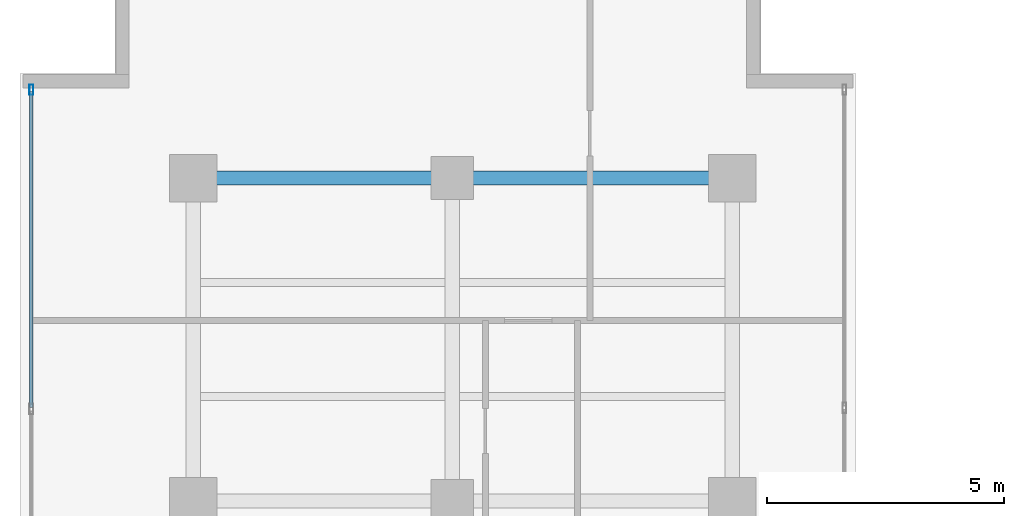
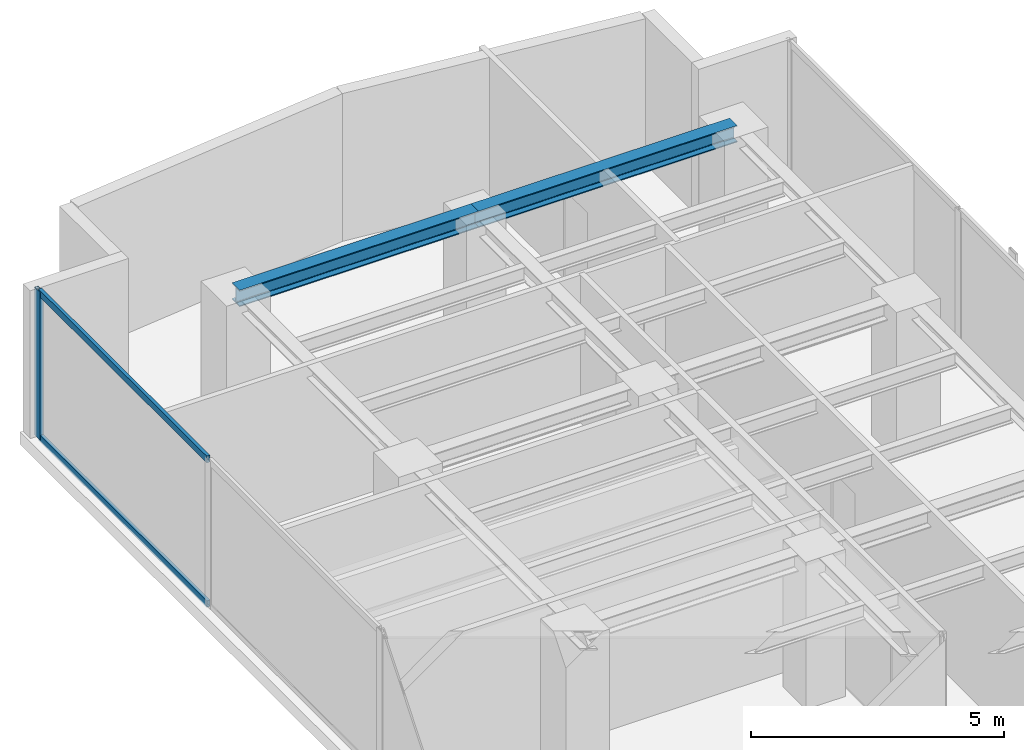
# One storey, part 14 of 25: 3 members, 2 beams, 1 element without a shape of its own.
"""IFC4 building model written with IfcOpenShell, lengths in metres."""

import ifcopenshell
import ifcopenshell.guid

model = None  # the IFC model being written
_history = None  # IfcOwnerHistory: only IFC2X3 demands one
_inside = {}  # id of a spatial element -> (the spatial element, [elements in it])
_under = {}  # id of a project, library or spatial element -> (it, [spatial elements below it])
_declared = {}  # id of a project -> (the project, [libraries it declares])
_typed = {}  # id of a type object -> (the type object, [elements of that type])
_made_of = {}  # id of a material, layer set ... -> (it, [elements and type objects made of it])


def new_model(schema):
    """Start an empty IFC model of exactly this schema.

    Asked for "IFC4X3", IfcOpenShell would pick the latest addendum, in which some entities
    have other attributes; the version numbers below select the first issue.
    IFC2X3 requires an IfcOwnerHistory on every rooted entity: one is made here for all.
    """
    global model, _history
    if schema == "IFC4X3":
        model = ifcopenshell.file(schema_version=(4, 3, 0, 0))
    else:
        model = ifcopenshell.file(schema=schema)
    _inside.clear()
    _under.clear()
    _declared.clear()
    _typed.clear()
    _made_of.clear()
    _history = None
    if model.schema == "IFC2X3":
        org = make("IfcOrganization", Name="unknown")
        user = make(
            "IfcPersonAndOrganization",
            ThePerson=make("IfcPerson", FamilyName="unknown"),
            TheOrganization=org,
        )
        app = make(
            "IfcApplication",
            ApplicationDeveloper=org,
            Version="unknown",
            ApplicationFullName="unknown",
            ApplicationIdentifier="unknown",
        )
        _history = make(
            "IfcOwnerHistory",
            OwningUser=user,
            OwningApplication=app,
            ChangeAction="ADDED",
            CreationDate=0,
        )
    return model


def make(cls, **values):
    """One entity of the class cls with the attributes given. An attribute that is None is left unset."""
    return model.create_entity(
        cls, **{name: value for name, value in values.items() if value is not None}
    )


def rooted(cls, **values):
    """An entity with a GlobalId (a new one), such as an element, a storey or a relation."""
    return make(cls, GlobalId=ifcopenshell.guid.new(), OwnerHistory=_history, **values)


def si_unit(unit_type, name, prefix=None):
    """IfcSIUnit, for example si_unit("LENGTHUNIT", "METRE", prefix="MILLI")."""
    return make("IfcSIUnit", UnitType=unit_type, Prefix=prefix, Name=name)


def assignment(units):
    """IfcUnitAssignment: the units of a project."""
    return None if units is None else make("IfcUnitAssignment", Units=units)


def point(xyz):
    """IfcCartesianPoint."""
    return None if xyz is None else make("IfcCartesianPoint", Coordinates=xyz)


def direction(xyz):
    """IfcDirection."""
    return None if xyz is None else make("IfcDirection", DirectionRatios=xyz)


def frame(location, z_axis=None, x_axis=None):
    """IfcAxis2Placement3D, a coordinate frame: its origin and axes. An axis left out is left unset."""
    return make(
        "IfcAxis2Placement3D",
        Location=point(location),
        Axis=direction(z_axis),
        RefDirection=direction(x_axis),
    )


def frame_2d(location, x_axis=None):
    """IfcAxis2Placement2D, a coordinate frame in the plane: its origin and x axis."""
    return make(
        "IfcAxis2Placement2D", Location=point(location), RefDirection=direction(x_axis)
    )


def origin():
    """The frame at (0, 0, 0) with its axes left unset."""
    return frame((0.0, 0.0, 0.0))


def origin_with_axes():
    """The frame at (0, 0, 0) with the z axis (0, 0, 1) and the x axis (1, 0, 0) written out."""
    return frame((0.0, 0.0, 0.0), z_axis=(0.0, 0.0, 1.0), x_axis=(1.0, 0.0, 0.0))


def origin_2d():
    """The frame at (0, 0) in the plane with its x axis left unset."""
    return frame_2d((0.0, 0.0))


def place(relative_to, where):
    """IfcLocalPlacement: puts the frame where relative to a parent placement (None: the world)."""
    return make(
        "IfcLocalPlacement", PlacementRelTo=relative_to, RelativePlacement=where
    )


def context(
    kind, dimensions, precision=None, world=None, true_north=None, identifier=None
):
    """IfcGeometricRepresentationContext, for example the 3D "Model" context."""
    return make(
        "IfcGeometricRepresentationContext",
        ContextIdentifier=identifier,
        ContextType=kind,
        CoordinateSpaceDimension=dimensions,
        Precision=precision,
        WorldCoordinateSystem=world,
        TrueNorth=true_north,
    )


def subcontext(parent, identifier, kind, view, scale=None):
    """IfcGeometricRepresentationSubContext, for example "Body" below "Model"."""
    return make(
        "IfcGeometricRepresentationSubContext",
        ContextIdentifier=identifier,
        ContextType=kind,
        ParentContext=parent,
        TargetScale=scale,
        TargetView=view,
    )


def project(units=None, contexts=None):
    """IfcProject with its units and contexts."""
    return rooted(
        "IfcProject",
        Name="project",
        RepresentationContexts=contexts,
        UnitsInContext=assignment(units),
    )


def spatial(cls, under=None, at=None, **own):
    """A site, building, storey or space (cls), placed at a placement, below another one or the project."""
    s = rooted(cls, ObjectPlacement=at, **own)
    if under is not None:
        _under.setdefault(under.id(), (under, []))[1].append(s)
    return s


def profile(cls, at=None, kind="AREA", **sizes):
    """A parametric profile (cls). Its sizes go by their IFC names, for example OverallWidth=200.0."""
    return make(cls, ProfileType=kind, Position=at, **sizes)


def hollow_rectangle(**sizes):
    """IfcRectangleHollowProfileDef."""
    return profile("IfcRectangleHollowProfileDef", **sizes)


def i_section(**sizes):
    """IfcIShapeProfileDef."""
    return profile("IfcIShapeProfileDef", **sizes)


def extrude(swept, where, along, depth):
    """IfcExtrudedAreaSolid: the profile swept, set in the frame where, extruded along a direction by depth."""
    return make(
        "IfcExtrudedAreaSolid",
        SweptArea=swept,
        Position=where,
        ExtrudedDirection=direction(along),
        Depth=depth,
    )


def shape(context_of_items, identifier, shape_type, items):
    """IfcShapeRepresentation: the items that make up one representation, for example the "Body"."""
    return make(
        "IfcShapeRepresentation",
        ContextOfItems=context_of_items,
        RepresentationIdentifier=identifier,
        RepresentationType=shape_type,
        Items=items,
    )


def source(mapping_origin, context_of_items, identifier, shape_type, items):
    """IfcRepresentationMap: a shape defined once, which mapped items show again and again."""
    return make(
        "IfcRepresentationMap",
        MappingOrigin=mapping_origin,
        MappedRepresentation=shape(context_of_items, identifier, shape_type, items),
    )


def transform(
    local_origin,
    x_axis=None,
    y_axis=None,
    z_axis=None,
    scale=None,
    scale2=None,
    scale3=None,
    uniform=True,
):
    """IfcCartesianTransformationOperator3D, or its non-uniform kind. x_axis, y_axis, z_axis: its Axis1, 2, 3."""
    if uniform:
        return make(
            "IfcCartesianTransformationOperator3D",
            Axis1=direction(x_axis),
            Axis2=direction(y_axis),
            LocalOrigin=point(local_origin),
            Scale=scale,
            Axis3=direction(z_axis),
        )
    return make(
        "IfcCartesianTransformationOperator3DnonUniform",
        Axis1=direction(x_axis),
        Axis2=direction(y_axis),
        LocalOrigin=point(local_origin),
        Scale=scale,
        Axis3=direction(z_axis),
        Scale2=scale2,
        Scale3=scale3,
    )


def mapped(mapping_source, mapping_target):
    """IfcMappedItem: shows the shape of a source again, moved by a transform."""
    return make(
        "IfcMappedItem", MappingSource=mapping_source, MappingTarget=mapping_target
    )


def material(Name=None, Category=None):
    """IfcMaterial."""
    return make("IfcMaterial", Name=Name, Category=Category)


def layer(
    of_material, thickness, ventilated=None, Name=None, Category=None, Priority=None
):
    """IfcMaterialLayer: one layer of a wall or slab, of a material (None: an air gap)."""
    return make(
        "IfcMaterialLayer",
        Material=of_material,
        LayerThickness=thickness,
        IsVentilated=ventilated,
        Name=Name,
        Category=Category,
        Priority=Priority,
    )


def layer_set(layers, Name=None):
    """IfcMaterialLayerSet."""
    return make("IfcMaterialLayerSet", MaterialLayers=layers, LayerSetName=Name)


def material_profile(
    of_material, cross_section, Name=None, Category=None, Priority=None
):
    """IfcMaterialProfile: a cross section and its material."""
    return make(
        "IfcMaterialProfile",
        Name=Name,
        Material=of_material,
        Profile=cross_section,
        Priority=Priority,
        Category=Category,
    )


def profile_set(profiles, Name=None, composite=None):
    """IfcMaterialProfileSet."""
    return make(
        "IfcMaterialProfileSet",
        Name=Name,
        MaterialProfiles=profiles,
        CompositeProfile=composite,
    )


def made_of(thing, what):
    """Note that an element or type object is made of a material, layer set ...; save() writes the relation."""
    if what is not None:
        _made_of.setdefault(what.id(), (what, []))[1].append(thing)
    return thing


def type_object(cls, material=None, **own):
    """A type object (cls), such as IfcWallType, which elements share."""
    return made_of(rooted(cls, **own), material)


def element(
    cls,
    number,
    at=None,
    inside=None,
    cuts=None,
    type_object=None,
    material=None,
    context=None,
    identifier="Body",
    shape_type=None,
    held_by="IfcProductDefinitionShape",
    body=None,
    shapes=None,
    **own,
):
    """One element of the class cls, such as IfcWall. Its Tag is "e" and its number.

    at: its placement. inside: the storey or other place that contains it. cuts: it is an
    opening in that element (IfcRelVoidsElement). A single representation is given by context,
    identifier, shape_type and body (its items); several are given by shapes. held_by: the class
    of the entity that holds the representations. save() writes the other relations.
    """
    e = rooted(cls, Tag="e%d" % number, ObjectPlacement=at, **own)
    if body is not None:
        shapes = [shape(context, identifier, shape_type, body)]
    if shapes is not None:
        e.Representation = make(held_by, Representations=shapes)
    if inside is not None:
        _inside.setdefault(inside.id(), (inside, []))[1].append(e)
    if cuts is not None:
        rooted(
            "IfcRelVoidsElement", RelatingBuildingElement=cuts, RelatedOpeningElement=e
        )
    if type_object is not None:
        _typed.setdefault(type_object.id(), (type_object, []))[1].append(e)
    return made_of(e, material)


def aggregate(whole, parts):
    """IfcRelAggregates: a whole, such as a stair, and the parts it consists of."""
    return rooted("IfcRelAggregates", RelatingObject=whole, RelatedObjects=parts)


def save(model, path):
    """Write the relations noted so far, then the file.

    IfcRelAggregates (storeys below a building ...), IfcRelContainedInSpatialStructure (elements
    in a storey), IfcRelDefinesByType, IfcRelAssociatesMaterial and IfcRelDeclares: one each for
    every whole, place, type object, material and project.
    """
    for whole, parts in _under.values():
        aggregate(whole, parts)
    for where, things in _inside.values():
        rooted(
            "IfcRelContainedInSpatialStructure",
            RelatedElements=things,
            RelatingStructure=where,
        )
    for kind, things in _typed.values():
        rooted("IfcRelDefinesByType", RelatedObjects=things, RelatingType=kind)
    for what, things in _made_of.values():
        rooted("IfcRelAssociatesMaterial", RelatedObjects=things, RelatingMaterial=what)
    for by, libraries in _declared.values():
        rooted("IfcRelDeclares", RelatingContext=by, RelatedDefinitions=libraries)
    model.write(path)


model = new_model("IFC4")

# Units and contexts
model_context = context("Model", 3, precision=1e-05, world=origin(), true_north=direction((0.0, 1.0)))
body_context = subcontext(model_context, "Body", "Model", "MODEL_VIEW")
ifc_project = project(units=[si_unit("LENGTHUNIT", "METRE"), si_unit("AREAUNIT", "SQUARE_METRE"), si_unit("VOLUMEUNIT", "CUBIC_METRE"), si_unit("PLANEANGLEUNIT", "RADIAN"), si_unit("MASSUNIT", "GRAM", prefix="KILO")], contexts=[model_context])

# Site, building, storey
site_placement = place(None, origin())
site = spatial("IfcSite", under=ifc_project, at=site_placement, CompositionType="ELEMENT")
building_placement = place(site_placement, origin())
building = spatial("IfcBuilding", under=site, at=building_placement, Name="Kolvaren Waterfront Exchange", CompositionType="ELEMENT")
storey_placement = place(building_placement, frame((0.0, 0.0, 223.5)))
storey = spatial("IfcBuildingStorey", under=building, at=storey_placement, Name="L57", CompositionType="ELEMENT", Elevation=223.5)

# Beams
ifc_material_1 = material(Name="Steel S355", Category="steel")
ifc_material_profile_1 = material_profile(ifc_material_1, i_section(OverallWidth=0.300048828125, OverallDepth=0.39990234375, WebThickness=0.013427734375, FlangeThickness=0.02392578125, FilletRadius=0.027099609375, at=origin_2d()), Name="HEB400")
ifc_profile_set_1 = profile_set([ifc_material_profile_1], Name="Steel S355")
beam_type = type_object("IfcBeamType", Name="STR-BM-HEB400", PredefinedType="BEAM", material=ifc_profile_set_1)
beam_1_placement = place(storey_placement, frame((7.449951171875, 44.60009765625, 3.360107421875), z_axis=(1.0, 0.0, 0.0), x_axis=(0.0, 1.0, 0.0)))
element("IfcBeam", 1, at=beam_1_placement, inside=storey, type_object=beam_type, Name="L57 north-arm girder 4A", PredefinedType="BEAM", context=body_context, shape_type="SweptSolid", body=[
    extrude(i_section(OverallWidth=0.300048828125, OverallDepth=0.39990234375, WebThickness=0.013427734375, FlangeThickness=0.02392578125, FilletRadius=0.027099609375, at=origin_2d()), origin(), (0.0, 0.0, 1.0), 5.449951171875),
])
beam_2_placement = place(storey_placement, frame((12.89990234375, 44.60009765625, 3.360107421875), z_axis=(1.0, 0.0, 0.0), x_axis=(0.0, 1.0, 0.0)))
element("IfcBeam", 2, at=beam_2_placement, inside=storey, type_object=beam_type, Name="L57 north-arm girder 4B", PredefinedType="BEAM", context=body_context, shape_type="SweptSolid", body=[
    extrude(i_section(OverallWidth=0.300048828125, OverallDepth=0.39990234375, WebThickness=0.013427734375, FlangeThickness=0.02392578125, FilletRadius=0.027099609375, at=origin_2d()), origin(), (0.0, 0.0, 1.0), 5.900146484375),
])

# Curtain wall, members
ifc_material_2 = material(Name="Anodised aluminium 6063-T6", Category="aluminium")
ifc_layer = layer(ifc_material_2, 0.219970703125, Name="Anodised aluminium 6063-T6")
ifc_layer_set = layer_set([ifc_layer], Name="Anodised aluminium 6063-T6")
curtain_wall_type = type_object("IfcCurtainWallType", Name="ARC-CW-SYS2", PredefinedType="USERDEFINED", material=ifc_layer_set)
curtain_wall_placement = place(storey_placement, origin())
curtain_wall = element("IfcCurtainWall", 3, at=curtain_wall_placement, inside=storey, type_object=curtain_wall_type, Name="L57 stick curtain wall CW2 (CW-L57-W)", ObjectType="STICK CURTAIN WALL", PredefinedType="USERDEFINED")
ifc_material_profile_2 = material_profile(ifc_material_2, hollow_rectangle(XDim=0.080078125, YDim=0.219970703125, WallThickness=0.0048828125, at=origin_2d()), Name="ALU-MUL-220x80x5")
ifc_profile_set_2 = profile_set([ifc_material_profile_2], Name="Anodised aluminium 6063-T6")
member_type_1 = type_object("IfcMemberType", Name="ARC-CWM-220", PredefinedType="MULLION", material=ifc_profile_set_2)
shared_shape_1 = source(origin_with_axes(), body_context, "Body", "SweptSolid", [
    extrude(hollow_rectangle(XDim=0.080078125, YDim=0.219970703125, WallThickness=0.0048828125, at=origin_2d()), origin(), (0.0, 0.0, 1.0), 3.56005859375),
])
member_1_placement = place(storey_placement, frame((4.0400390625, 46.4599609375, 0.0), z_axis=(0.0, 0.0, 1.0), x_axis=(-1.0, 0.0, 0.0)))
member_1 = element("IfcMember", 4, at=member_1_placement, type_object=member_type_1, Name="CW2 mullion 7", PredefinedType="MULLION", context=body_context, shape_type="MappedRepresentation", body=[
    mapped(shared_shape_1, transform((0.0, 0.0, 0.0), x_axis=(1.0, 0.0, 0.0), y_axis=(0.0, 1.0, 0.0), z_axis=(0.0, 0.0, 1.0), scale=1.0)),
])
ifc_material_profile_3 = material_profile(ifc_material_2, hollow_rectangle(XDim=0.074951171875, YDim=0.159912109375, WallThickness=0.00439453125, at=origin_2d()), Name="ALU-TRN-160x75x4.5")
ifc_profile_set_3 = profile_set([ifc_material_profile_3], Name="Anodised aluminium 6063-T6")
member_type_2 = type_object("IfcMemberType", Name="ARC-CWT-160", PredefinedType="USERDEFINED", material=ifc_profile_set_3)
shared_shape_2 = source(origin_with_axes(), body_context, "Body", "SweptSolid", [
    extrude(hollow_rectangle(XDim=0.074951171875, YDim=0.159912109375, WallThickness=0.00439453125, at=origin_2d()), origin(), (0.0, 0.0, 1.0), 6.646484375),
])
member_2_placement = place(storey_placement, frame((4.0400390625, 39.7734375, 0.03759765625), z_axis=(0.0, 1.0, 0.0), x_axis=(-1.0, 0.0, 0.0)))
member_2 = element("IfcMember", 5, at=member_2_placement, type_object=member_type_2, Name="CW2 transom 6.1", ObjectType="TRANSOM", PredefinedType="USERDEFINED", context=body_context, shape_type="MappedRepresentation", body=[
    mapped(shared_shape_2, transform((0.0, 0.0, 0.0), x_axis=(1.0, 0.0, 0.0), y_axis=(0.0, 1.0, 0.0), z_axis=(0.0, 0.0, 1.0), scale=1.0)),
])
member_3_placement = place(storey_placement, frame((4.0400390625, 39.7734375, 3.5224609375), z_axis=(0.0, 1.0, 0.0), x_axis=(-1.0, 0.0, 0.0)))
member_3 = element("IfcMember", 6, at=member_3_placement, type_object=member_type_2, Name="CW2 transom 6.2", ObjectType="TRANSOM", PredefinedType="USERDEFINED", context=body_context, shape_type="MappedRepresentation", body=[
    mapped(shared_shape_2, transform((0.0, 0.0, 0.0), x_axis=(1.0, 0.0, 0.0), y_axis=(0.0, 1.0, 0.0), z_axis=(0.0, 0.0, 1.0), scale=1.0)),
])
aggregate(curtain_wall, [member_1, member_2, member_3])

save(model, "model.ifc")
